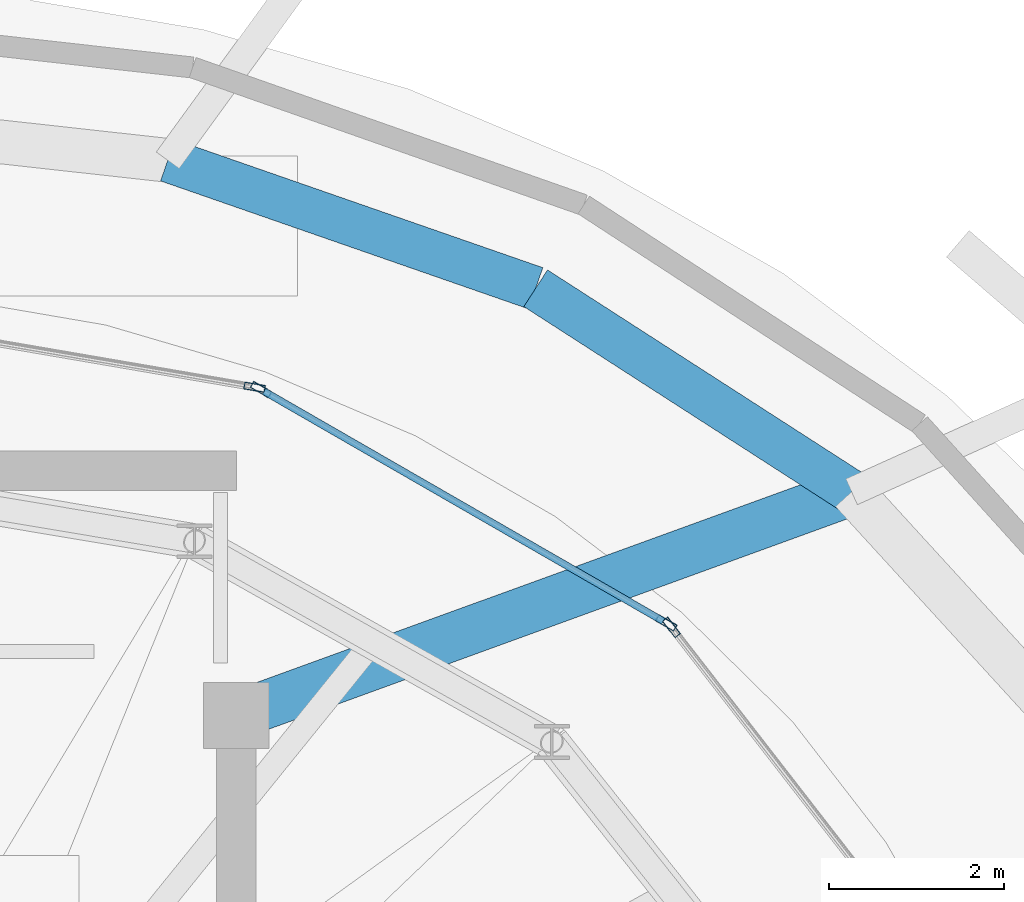
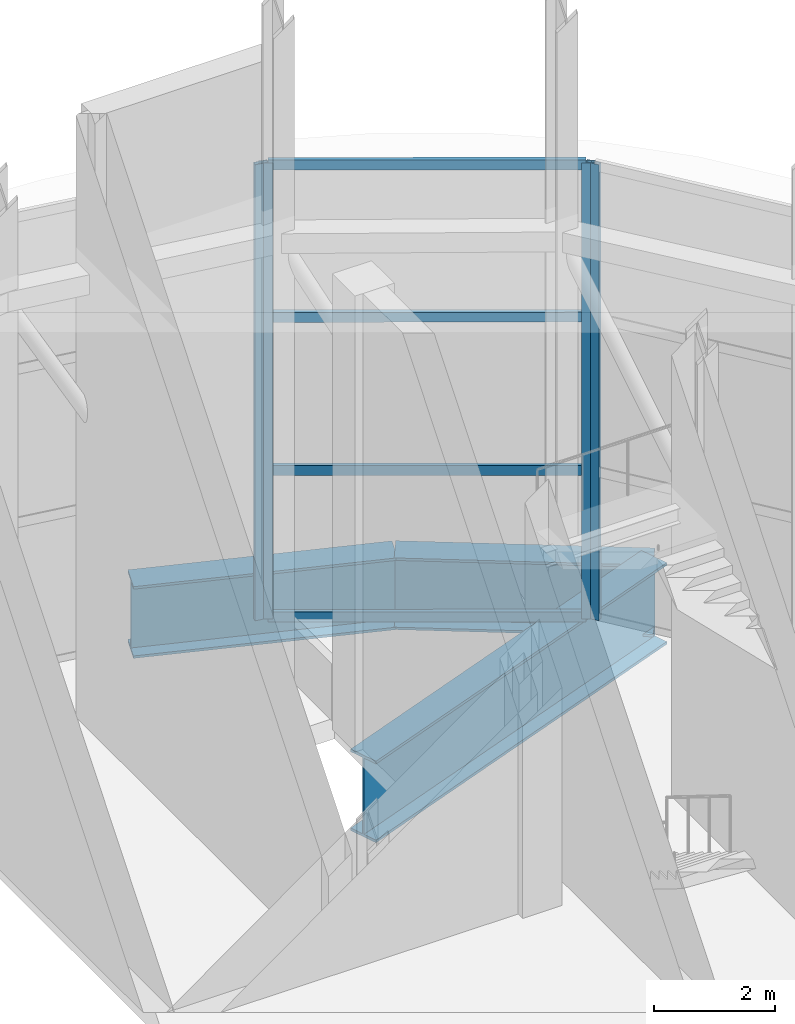
# One storey, part 15 of 22: 8 members, 3 beams, 3 elements without a shape of their own.
"""IFC4 building model written with IfcOpenShell, lengths in metres."""

from ifc_helpers import new_model, si_unit, direction, frame, origin, origin_2d, place, context, subcontext, project, spatial, hollow_rectangle, i_section, extrude, material, layer, layer_set, material_profile, profile_set, type_object, element, aggregate, save


model = new_model("IFC4")

# Units and contexts
model_context = context("Model", 3, precision=1e-05, world=origin(), true_north=direction((0.0, 1.0)))
body_context = subcontext(model_context, "Body", "Model", "MODEL_VIEW")
ifc_project = project(units=[si_unit("LENGTHUNIT", "METRE"), si_unit("AREAUNIT", "SQUARE_METRE"), si_unit("VOLUMEUNIT", "CUBIC_METRE"), si_unit("PLANEANGLEUNIT", "RADIAN"), si_unit("MASSUNIT", "GRAM", prefix="KILO")], contexts=[model_context])

# Site, building, storey
site_placement = place(None, origin())
site = spatial("IfcSite", under=ifc_project, at=site_placement, CompositionType="ELEMENT")
building_placement = place(site_placement, origin())
building = spatial("IfcBuilding", under=site, at=building_placement, Name="Nuhasar Tower", CompositionType="ELEMENT")
storey_placement = place(building_placement, frame((0.0, 0.0, 313.39990234375)))
storey = spatial("IfcBuildingStorey", under=building, at=storey_placement, Name="Roof Drum", CompositionType="ELEMENT", Elevation=313.39990234375)

# Beams
ifc_material_1 = material(Name="Steel S460", Category="steel")
ifc_material_profile_1 = material_profile(ifc_material_1, i_section(OverallWidth=0.5, OverallDepth=1.449951171875, WebThickness=0.028076171875, FlangeThickness=0.050048828125, at=origin_2d()), Name="PG1450X500")
ifc_profile_set_1 = profile_set([ifc_material_profile_1], Name="Steel S460")
beam_type_1 = type_object("IfcBeamType", Name="BM-XFER-PG1450", PredefinedType="USERDEFINED", material=ifc_profile_set_1)
beam_1_placement = place(storey_placement, frame((51.339111328125, 37.158935546875, -1.14501953125), z_axis=(-0.84066698683, 0.541552414133, 0.0), x_axis=(-0.541552414133, -0.84066698683, 0.0)))
element("IfcBeam", 1, at=beam_1_placement, inside=storey, type_object=beam_type_1, Name="Roof Drum Outer Setback Spandrel 04", ObjectType="GIRDER", PredefinedType="USERDEFINED", context=body_context, shape_type="SweptSolid", body=[
    extrude(i_section(OverallWidth=0.5, OverallDepth=1.449951171875, WebThickness=0.028076171875, FlangeThickness=0.050048828125, at=origin_2d()), origin(), (0.0, 0.0, 1.0), 4.299072265625),
])
beam_2_placement = place(storey_placement, frame((47.72509765625, 39.487060546875, -1.14501953125), z_axis=(-0.94450566555, 0.328495125907, 0.0), x_axis=(-0.328495125907, -0.94450566555, 0.0)))
element("IfcBeam", 2, at=beam_2_placement, inside=storey, type_object=beam_type_1, Name="Roof Drum Outer Setback Spandrel 05", ObjectType="GIRDER", PredefinedType="USERDEFINED", context=body_context, shape_type="SweptSolid", body=[
    extrude(i_section(OverallWidth=0.5, OverallDepth=1.449951171875, WebThickness=0.028076171875, FlangeThickness=0.050048828125, at=origin_2d()), origin(), (0.0, 0.0, 1.0), 4.456298828125),
])
ifc_material_profile_2 = material_profile(ifc_material_1, i_section(OverallWidth=0.550048828125, OverallDepth=1.64990234375, WebThickness=0.031982421875, FlangeThickness=0.054931640625, at=origin_2d()), Name="PG1650X550")
ifc_profile_set_2 = profile_set([ifc_material_profile_2], Name="Steel S460")
beam_type_2 = type_object("IfcBeamType", Name="BM-XFER-PG1650", PredefinedType="USERDEFINED", material=ifc_profile_set_2)
beam_3_placement = place(storey_placement, frame((44.300048828125, 34.60009765625, -1.244873046875), z_axis=(0.939828632474, 0.341646222841, 0.0), x_axis=(-0.341646222841, 0.939828632474, 0.0)))
element("IfcBeam", 3, at=beam_3_placement, inside=storey, type_object=beam_type_2, Name="Roof Drum Primary Radial Transfer Girder 05", ObjectType="GIRDER", PredefinedType="USERDEFINED", context=body_context, shape_type="SweptSolid", body=[
    extrude(i_section(OverallWidth=0.550048828125, OverallDepth=1.64990234375, WebThickness=0.031982421875, FlangeThickness=0.054931640625, at=origin_2d()), origin(), (0.0, 0.0, 1.0), 7.48974609375),
])

# Curtain wall, member
ifc_material_2 = material(Name="Aluminium 6063-T6", Category="aluminium")
ifc_layer = layer(ifc_material_2, 0.219970703125)
ifc_layer_set = layer_set([ifc_layer], Name="Aluminium 6063-T6")
curtain_wall_type = type_object("IfcCurtainWallType", Name="CW-CROWN", PredefinedType="NOTDEFINED", material=ifc_layer_set)
curtain_wall_1_placement = place(storey_placement, origin())
curtain_wall_1 = element("IfcCurtainWall", 4, at=curtain_wall_1_placement, inside=storey, type_object=curtain_wall_type, Name="Crown Lantern Curtain Wall 02", PredefinedType="NOTDEFINED")
ifc_material_profile_3 = material_profile(ifc_material_2, hollow_rectangle(XDim=0.080078125, YDim=0.239990234375, WallThickness=0.0048828125, at=origin_2d()), Name="CWM-7")
ifc_profile_set_3 = profile_set([ifc_material_profile_3], Name="Aluminium 6063-T6")
member_type_1 = type_object("IfcMemberType", Name="CW-MUL-S7", PredefinedType="MULLION", material=ifc_profile_set_3)
member_1_placement = place(storey_placement, frame((49.277587890625, 35.607421875, 0.0), z_axis=(0.0, 0.0, 1.0), x_axis=(-0.79037966023, -0.612617329738, 0.0)))
member_1 = element("IfcMember", 5, at=member_1_placement, type_object=member_type_1, Name="CW-CR mullion 2", PredefinedType="MULLION", context=body_context, shape_type="SweptSolid", body=[
    extrude(hollow_rectangle(XDim=0.080078125, YDim=0.239990234375, WallThickness=0.0048828125, at=origin_2d()), origin(), (0.0, 0.0, 1.0), 9.22021484375),
])
aggregate(curtain_wall_1, [member_1])

# Curtain wall, members
curtain_wall_2_placement = place(storey_placement, origin())
curtain_wall_2 = element("IfcCurtainWall", 6, at=curtain_wall_2_placement, inside=storey, type_object=curtain_wall_type, Name="Crown Lantern Curtain Wall 03", PredefinedType="NOTDEFINED")
member_2_placement = place(storey_placement, frame((49.21826171875, 35.658935546875, 0.0), z_axis=(0.0, 0.0, 1.0), x_axis=(-0.499052486842, -0.866571760085, 0.0)))
member_2 = element("IfcMember", 7, at=member_2_placement, type_object=member_type_1, Name="CW-CR mullion 1", PredefinedType="MULLION", context=body_context, shape_type="SweptSolid", body=[
    extrude(hollow_rectangle(XDim=0.080078125, YDim=0.239990234375, WallThickness=0.0048828125, at=origin_2d()), origin(), (0.0, 0.0, 1.0), 9.22021484375),
])
member_3_placement = place(storey_placement, frame((44.583740234375, 38.328125, 0.0), z_axis=(0.0, 0.0, 1.0), x_axis=(-0.499052486842, -0.866571760085, 0.0)))
member_3 = element("IfcMember", 8, at=member_3_placement, type_object=member_type_1, Name="CW-CR mullion 2", PredefinedType="MULLION", context=body_context, shape_type="SweptSolid", body=[
    extrude(hollow_rectangle(XDim=0.080078125, YDim=0.239990234375, WallThickness=0.0048828125, at=origin_2d()), origin(), (0.0, 0.0, 1.0), 9.22021484375),
])

# Curtain wall, member
curtain_wall_3_placement = place(storey_placement, origin())
curtain_wall_3 = element("IfcCurtainWall", 9, at=curtain_wall_3_placement, inside=storey, type_object=curtain_wall_type, Name="Crown Lantern Curtain Wall 04", PredefinedType="NOTDEFINED")
member_4_placement = place(storey_placement, frame((44.509521484375, 38.354736328125, 0.0), z_axis=(0.0, 0.0, 1.0), x_axis=(-0.169091991353, -0.985600273164, 0.0)))
member_4 = element("IfcMember", 10, at=member_4_placement, type_object=member_type_1, Name="CW-CR mullion 1", PredefinedType="MULLION", context=body_context, shape_type="SweptSolid", body=[
    extrude(hollow_rectangle(XDim=0.080078125, YDim=0.239990234375, WallThickness=0.0048828125, at=origin_2d()), origin(), (0.0, 0.0, 1.0), 9.22021484375),
])
aggregate(curtain_wall_3, [member_4])

# Member
ifc_material_profile_4 = material_profile(ifc_material_2, hollow_rectangle(XDim=0.080078125, YDim=0.199951171875, WallThickness=0.00439453125, at=origin_2d()), Name="CWT-7")
ifc_profile_set_4 = profile_set([ifc_material_profile_4], Name="Aluminium 6063-T6")
member_type_2 = type_object("IfcMemberType", Name="CW-TRN-S7", PredefinedType="USERDEFINED", material=ifc_profile_set_4)
member_5_placement = place(storey_placement, frame((49.18359375, 35.678955078125, 0.0400390625), z_axis=(-0.866564154904, 0.499065692505, 0.0), x_axis=(-0.499065692505, -0.866564154904, 0.0)))
member_5 = element("IfcMember", 11, at=member_5_placement, type_object=member_type_2, Name="CW-CR transom 1.1", ObjectType="TRANSOM", PredefinedType="USERDEFINED", context=body_context, shape_type="SweptSolid", body=[
    extrude(hollow_rectangle(XDim=0.080078125, YDim=0.199951171875, WallThickness=0.00439453125, at=origin_2d()), origin(), (0.0, 0.0, 1.0), 5.26806640625),
])

member_6_placement = place(storey_placement, frame((49.18359375, 35.678955078125, 3.0), z_axis=(-0.866564154904, 0.499065692505, 0.0), x_axis=(-0.499065692505, -0.866564154904, 0.0)))
member_6 = element("IfcMember", 12, at=member_6_placement, type_object=member_type_2, Name="CW-CR transom 1.2", ObjectType="TRANSOM", PredefinedType="USERDEFINED", context=body_context, shape_type="SweptSolid", body=[
    extrude(hollow_rectangle(XDim=0.080078125, YDim=0.199951171875, WallThickness=0.00439453125, at=origin_2d()), origin(), (0.0, 0.0, 1.0), 5.26806640625),
])

member_7_placement = place(storey_placement, frame((49.18359375, 35.678955078125, 6.10009765625), z_axis=(-0.866564154904, 0.499065692505, 0.0), x_axis=(-0.499065692505, -0.866564154904, 0.0)))
member_7 = element("IfcMember", 13, at=member_7_placement, type_object=member_type_2, Name="CW-CR transom 1.3", ObjectType="TRANSOM", PredefinedType="USERDEFINED", context=body_context, shape_type="SweptSolid", body=[
    extrude(hollow_rectangle(XDim=0.080078125, YDim=0.199951171875, WallThickness=0.00439453125, at=origin_2d()), origin(), (0.0, 0.0, 1.0), 5.26806640625),
])

member_8_placement = place(storey_placement, frame((49.18359375, 35.678955078125, 9.18017578125), z_axis=(-0.866564154904, 0.499065692505, 0.0), x_axis=(-0.499065692505, -0.866564154904, 0.0)))
member_8 = element("IfcMember", 14, at=member_8_placement, type_object=member_type_2, Name="CW-CR transom 1.4", ObjectType="TRANSOM", PredefinedType="USERDEFINED", context=body_context, shape_type="SweptSolid", body=[
    extrude(hollow_rectangle(XDim=0.080078125, YDim=0.199951171875, WallThickness=0.00439453125, at=origin_2d()), origin(), (0.0, 0.0, 1.0), 5.26806640625),
])

aggregate(curtain_wall_2, [member_2, member_3, member_5, member_6, member_7, member_8])

save(model, "model.ifc")
